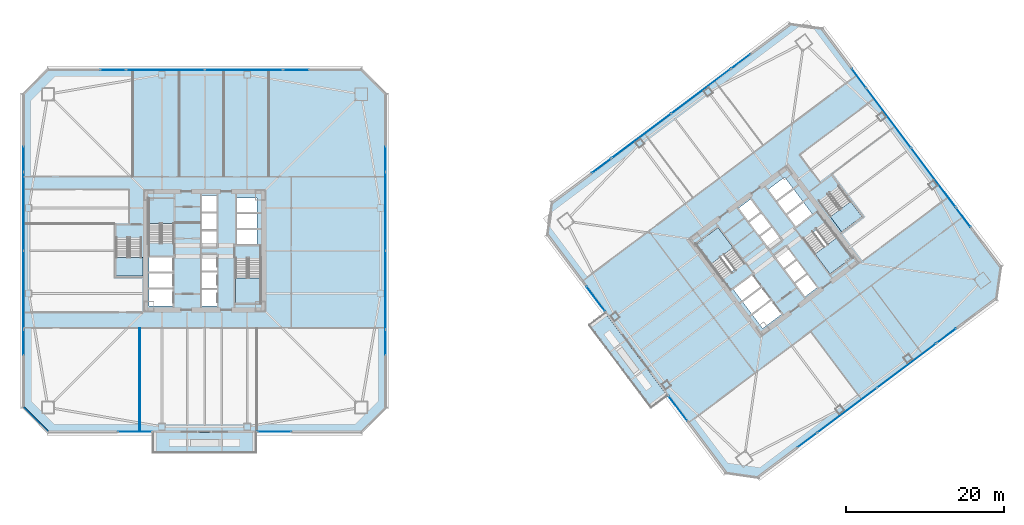
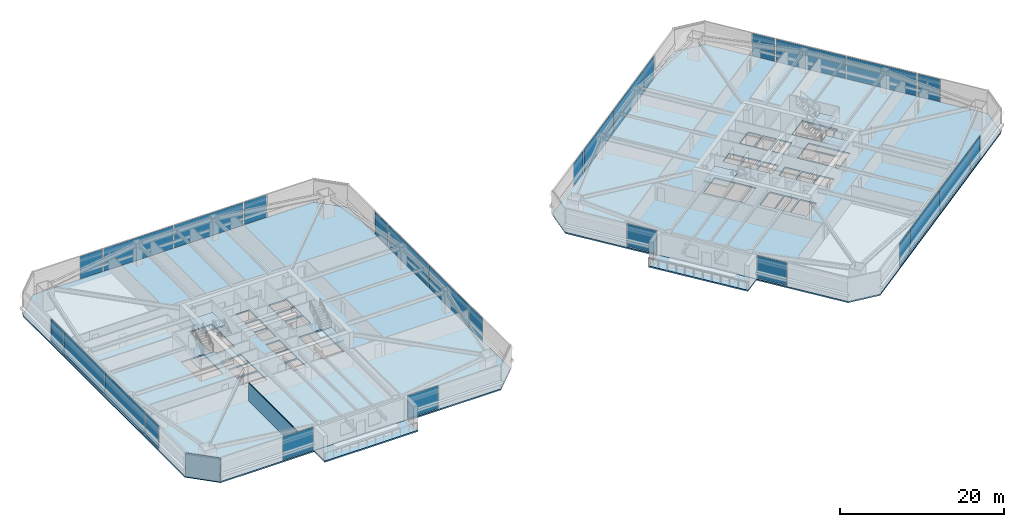
# One storey, part 35 of 48: 28 plates, 10 slabs, 2 walls, 28 elements without a shape of their own.
"""IFC4 building model written with IfcOpenShell, lengths in metres."""

from ifc_helpers import new_model, si_unit, direction, frame, frame_2d, origin, origin_2d, place, context, subcontext, project, spatial, polyline, rectangle, outline, extrude, material, layer, layer_set, type_object, element, aggregate, save


model = new_model("IFC4")

# Units and contexts
model_context = context("Model", 3, precision=1e-05, world=origin(), true_north=direction((0.0, 1.0)))
body_context = subcontext(model_context, "Body", "Model", "MODEL_VIEW")
ifc_project = project(units=[si_unit("LENGTHUNIT", "METRE"), si_unit("AREAUNIT", "SQUARE_METRE"), si_unit("VOLUMEUNIT", "CUBIC_METRE"), si_unit("PLANEANGLEUNIT", "RADIAN"), si_unit("MASSUNIT", "GRAM", prefix="KILO")], contexts=[model_context])

# Site, building, storey
site_placement = place(None, origin())
site = spatial("IfcSite", under=ifc_project, at=site_placement, CompositionType="ELEMENT")
building_placement = place(site_placement, origin())
building = spatial("IfcBuilding", under=site, at=building_placement, Name="Tashvorn Skyway Center", CompositionType="ELEMENT")
storey_placement = place(building_placement, frame((0.0, 0.0, 56.550048828125)))
storey = spatial("IfcBuildingStorey", under=building, at=storey_placement, Name="L14", CompositionType="ELEMENT", Elevation=56.550048828125)

# Curtain wall, plate
ifc_material_1 = material(Name="Thermally broken bronze-anodized aluminium 6063-T6", Category="aluminium")
curtain_wall_type = type_object("IfcCurtainWallType", Name="CW-CW-Z1", PredefinedType="NOTDEFINED", material=ifc_material_1)
curtain_wall_1_placement = place(storey_placement, origin())
curtain_wall_1 = element("IfcCurtainWall", 1, at=curtain_wall_1_placement, inside=storey, type_object=curtain_wall_type, Name="Tower 1 L14 South Curtain Wall L Glazing Group 1", PredefinedType="NOTDEFINED")
ifc_material_2 = material(Name="Low-E solar-control double insulating safety glass", Category="glass")
ifc_layer_1 = layer(ifc_material_2, 0.048095703125)
ifc_layer_set_1 = layer_set([ifc_layer_1], Name="Low-E solar-control double insulating safety glass")
plate_type = type_object("IfcPlateType", Name="CWP-CW-Z1", PredefinedType="CURTAIN_PANEL", material=ifc_layer_set_1)
plate_1_placement = place(storey_placement, frame((50.813232421875, 9.1201171875, 0.0849609375), z_axis=(0.0, 0.0, 1.0), x_axis=(-1.0, 0.0, 0.0)))
plate_1 = element("IfcPlate", 2, at=plate_1_placement, type_object=plate_type, Name="CW-Z1 panel 1.1", PredefinedType="CURTAIN_PANEL", context=body_context, shape_type="SweptSolid", body=[
    extrude(rectangle(XDim=4.256591796875, YDim=0.048095703125, at=origin_2d()), origin(), (0.0, 0.0, 1.0), 3.3798828125),
])
aggregate(curtain_wall_1, [plate_1])

curtain_wall_2_placement = place(storey_placement, origin())
curtain_wall_2 = element("IfcCurtainWall", 3, at=curtain_wall_2_placement, inside=storey, type_object=curtain_wall_type, Name="Tower 1 L14 South Curtain Wall R Glazing Group 1", PredefinedType="NOTDEFINED")
plate_2_placement = place(storey_placement, frame((33.186767578125, 9.1201171875, 0.0849609375), z_axis=(0.0, 0.0, 1.0), x_axis=(-1.0, 0.0, 0.0)))
plate_2 = element("IfcPlate", 4, at=plate_2_placement, type_object=plate_type, Name="CW-Z1 panel 1.1", PredefinedType="CURTAIN_PANEL", context=body_context, shape_type="SweptSolid", body=[
    extrude(rectangle(XDim=4.256591796875, YDim=0.048095703125, at=origin_2d()), origin(), (0.0, 0.0, 1.0), 3.3798828125),
])
aggregate(curtain_wall_2, [plate_2])

curtain_wall_3_placement = place(storey_placement, origin())
curtain_wall_3 = element("IfcCurtainWall", 5, at=curtain_wall_3_placement, inside=storey, type_object=curtain_wall_type, Name="Tower 1 L14 West Unitised Curtain Wall Glazing Group 1", PredefinedType="NOTDEFINED")
plate_3_placement = place(storey_placement, frame((19.1201171875, 20.4033203125, 0.0849609375), z_axis=(0.0, 0.0, 1.0), x_axis=(0.0, 1.0, 0.0)))
plate_3 = element("IfcPlate", 6, at=plate_3_placement, type_object=plate_type, Name="CW-Z1 panel 1.1", PredefinedType="CURTAIN_PANEL", context=body_context, shape_type="SweptSolid", body=[
    extrude(rectangle(XDim=3.143310546875, YDim=0.048095703125, at=origin_2d()), origin(), (0.0, 0.0, 1.0), 3.3798828125),
])
aggregate(curtain_wall_3, [plate_3])

# Curtain wall, plates
curtain_wall_4_placement = place(storey_placement, origin())
curtain_wall_4 = element("IfcCurtainWall", 7, at=curtain_wall_4_placement, inside=storey, type_object=curtain_wall_type, Name="Tower 1 L14 West Unitised Curtain Wall Glazing Group 2", PredefinedType="NOTDEFINED")
plate_4_placement = place(storey_placement, frame((19.1201171875, 27.05126953125, 0.0849609375), z_axis=(0.0, 0.0, 1.0), x_axis=(0.0, 1.0, 0.0)))
plate_4 = element("IfcPlate", 8, at=plate_4_placement, type_object=plate_type, Name="CW-Z1 panel 1.1", PredefinedType="CURTAIN_PANEL", context=body_context, shape_type="SweptSolid", body=[
    extrude(rectangle(XDim=9.8125, YDim=0.048095703125, at=origin_2d()), origin(), (0.0, 0.0, 1.0), 3.3798828125),
])
plate_5_placement = place(storey_placement, frame((19.1201171875, 36.94873046875, 0.0849609375), z_axis=(0.0, 0.0, 1.0), x_axis=(0.0, 1.0, 0.0)))
plate_5 = element("IfcPlate", 9, at=plate_5_placement, type_object=plate_type, Name="CW-Z1 panel 2.1", PredefinedType="CURTAIN_PANEL", context=body_context, shape_type="SweptSolid", body=[
    extrude(rectangle(XDim=9.8125, YDim=0.048095703125, at=origin_2d()), origin(), (0.0, 0.0, 1.0), 3.3798828125),
])
aggregate(curtain_wall_4, [plate_4, plate_5])

# Curtain wall, plate
curtain_wall_5_placement = place(storey_placement, origin())
curtain_wall_5 = element("IfcCurtainWall", 10, at=curtain_wall_5_placement, inside=storey, type_object=curtain_wall_type, Name="Tower 1 L14 West Unitised Curtain Wall Glazing Group 3", PredefinedType="NOTDEFINED")
plate_6_placement = place(storey_placement, frame((19.1201171875, 43.5966796875, 0.0849609375), z_axis=(0.0, 0.0, 1.0), x_axis=(0.0, 1.0, 0.0)))
plate_6 = element("IfcPlate", 11, at=plate_6_placement, type_object=plate_type, Name="CW-Z1 panel 1.1", PredefinedType="CURTAIN_PANEL", context=body_context, shape_type="SweptSolid", body=[
    extrude(rectangle(XDim=3.143310546875, YDim=0.048095703125, at=origin_2d()), origin(), (0.0, 0.0, 1.0), 3.3798828125),
])
aggregate(curtain_wall_5, [plate_6])

curtain_wall_6_placement = place(storey_placement, origin())
curtain_wall_6 = element("IfcCurtainWall", 12, at=curtain_wall_6_placement, inside=storey, type_object=curtain_wall_type, Name="Tower 1 L14 North Unitised Curtain Wall Glazing Group 1", PredefinedType="NOTDEFINED")
plate_7_placement = place(storey_placement, frame((30.4033203125, 54.8798828125, 0.0849609375), z_axis=(0.0, 0.0, 1.0), x_axis=(1.0, 0.0, 0.0)))
plate_7 = element("IfcPlate", 13, at=plate_7_placement, type_object=plate_type, Name="CW-Z1 panel 1.1", PredefinedType="CURTAIN_PANEL", context=body_context, shape_type="SweptSolid", body=[
    extrude(rectangle(XDim=3.143310546875, YDim=0.048095703125, at=origin_2d()), origin(), (0.0, 0.0, 1.0), 3.3798828125),
])
aggregate(curtain_wall_6, [plate_7])

# Curtain wall, plates
curtain_wall_7_placement = place(storey_placement, origin())
curtain_wall_7 = element("IfcCurtainWall", 14, at=curtain_wall_7_placement, inside=storey, type_object=curtain_wall_type, Name="Tower 1 L14 North Unitised Curtain Wall Glazing Group 2", PredefinedType="NOTDEFINED")
plate_8_placement = place(storey_placement, frame((37.05126953125, 54.8798828125, 0.0849609375), z_axis=(0.0, 0.0, 1.0), x_axis=(1.0, 0.0, 0.0)))
plate_8 = element("IfcPlate", 15, at=plate_8_placement, type_object=plate_type, Name="CW-Z1 panel 1.1", PredefinedType="CURTAIN_PANEL", context=body_context, shape_type="SweptSolid", body=[
    extrude(rectangle(XDim=9.8125, YDim=0.048095703125, at=origin_2d()), origin(), (0.0, 0.0, 1.0), 3.3798828125),
])
plate_9_placement = place(storey_placement, frame((46.94873046875, 54.8798828125, 0.0849609375), z_axis=(0.0, 0.0, 1.0), x_axis=(1.0, 0.0, 0.0)))
plate_9 = element("IfcPlate", 16, at=plate_9_placement, type_object=plate_type, Name="CW-Z1 panel 2.1", PredefinedType="CURTAIN_PANEL", context=body_context, shape_type="SweptSolid", body=[
    extrude(rectangle(XDim=9.8125, YDim=0.048095703125, at=origin_2d()), origin(), (0.0, 0.0, 1.0), 3.3798828125),
])
aggregate(curtain_wall_7, [plate_8, plate_9])

# Curtain wall, plate
curtain_wall_8_placement = place(storey_placement, origin())
curtain_wall_8 = element("IfcCurtainWall", 17, at=curtain_wall_8_placement, inside=storey, type_object=curtain_wall_type, Name="Tower 1 L14 North Unitised Curtain Wall Glazing Group 3", PredefinedType="NOTDEFINED")
plate_10_placement = place(storey_placement, frame((53.5966796875, 54.8798828125, 0.0849609375), z_axis=(0.0, 0.0, 1.0), x_axis=(1.0, 0.0, 0.0)))
plate_10 = element("IfcPlate", 18, at=plate_10_placement, type_object=plate_type, Name="CW-Z1 panel 1.1", PredefinedType="CURTAIN_PANEL", context=body_context, shape_type="SweptSolid", body=[
    extrude(rectangle(XDim=3.143310546875, YDim=0.048095703125, at=origin_2d()), origin(), (0.0, 0.0, 1.0), 3.3798828125),
])
aggregate(curtain_wall_8, [plate_10])

curtain_wall_9_placement = place(storey_placement, origin())
curtain_wall_9 = element("IfcCurtainWall", 19, at=curtain_wall_9_placement, inside=storey, type_object=curtain_wall_type, Name="Tower 1 L14 East Unitised Curtain Wall Glazing Group 1", PredefinedType="NOTDEFINED")
plate_11_placement = place(storey_placement, frame((64.8798828125, 43.5966796875, 0.0849609375), z_axis=(0.0, 0.0, 1.0), x_axis=(0.0, -1.0, 0.0)))
plate_11 = element("IfcPlate", 20, at=plate_11_placement, type_object=plate_type, Name="CW-Z1 panel 1.1", PredefinedType="CURTAIN_PANEL", context=body_context, shape_type="SweptSolid", body=[
    extrude(rectangle(XDim=3.143310546875, YDim=0.048095703125, at=origin_2d()), origin(), (0.0, 0.0, 1.0), 3.3798828125),
])
aggregate(curtain_wall_9, [plate_11])

# Curtain wall, plates
curtain_wall_10_placement = place(storey_placement, origin())
curtain_wall_10 = element("IfcCurtainWall", 21, at=curtain_wall_10_placement, inside=storey, type_object=curtain_wall_type, Name="Tower 1 L14 East Unitised Curtain Wall Glazing Group 2", PredefinedType="NOTDEFINED")
plate_12_placement = place(storey_placement, frame((64.8798828125, 36.94873046875, 0.0849609375), z_axis=(0.0, 0.0, 1.0), x_axis=(0.0, -1.0, 0.0)))
plate_12 = element("IfcPlate", 22, at=plate_12_placement, type_object=plate_type, Name="CW-Z1 panel 1.1", PredefinedType="CURTAIN_PANEL", context=body_context, shape_type="SweptSolid", body=[
    extrude(rectangle(XDim=9.8125, YDim=0.048095703125, at=origin_2d()), origin(), (0.0, 0.0, 1.0), 3.3798828125),
])
plate_13_placement = place(storey_placement, frame((64.8798828125, 27.05126953125, 0.0849609375), z_axis=(0.0, 0.0, 1.0), x_axis=(0.0, -1.0, 0.0)))
plate_13 = element("IfcPlate", 23, at=plate_13_placement, type_object=plate_type, Name="CW-Z1 panel 2.1", PredefinedType="CURTAIN_PANEL", context=body_context, shape_type="SweptSolid", body=[
    extrude(rectangle(XDim=9.8125, YDim=0.048095703125, at=origin_2d()), origin(), (0.0, 0.0, 1.0), 3.3798828125),
])
aggregate(curtain_wall_10, [plate_12, plate_13])

# Curtain wall, plate
curtain_wall_11_placement = place(storey_placement, origin())
curtain_wall_11 = element("IfcCurtainWall", 24, at=curtain_wall_11_placement, inside=storey, type_object=curtain_wall_type, Name="Tower 1 L14 East Unitised Curtain Wall Glazing Group 3", PredefinedType="NOTDEFINED")
plate_14_placement = place(storey_placement, frame((64.8798828125, 20.4033203125, 0.0849609375), z_axis=(0.0, 0.0, 1.0), x_axis=(0.0, -1.0, 0.0)))
plate_14 = element("IfcPlate", 25, at=plate_14_placement, type_object=plate_type, Name="CW-Z1 panel 1.1", PredefinedType="CURTAIN_PANEL", context=body_context, shape_type="SweptSolid", body=[
    extrude(rectangle(XDim=3.143310546875, YDim=0.048095703125, at=origin_2d()), origin(), (0.0, 0.0, 1.0), 3.3798828125),
])
aggregate(curtain_wall_11, [plate_14])

curtain_wall_12_placement = place(storey_placement, origin())
curtain_wall_12 = element("IfcCurtainWall", 26, at=curtain_wall_12_placement, inside=storey, type_object=curtain_wall_type, Name="Tower 2 L14 South Unitised Curtain Wall Glazing Group 1", PredefinedType="NOTDEFINED")
plate_15_placement = place(storey_placement, frame((135.818603515625, 21.263916015625, 0.0849609375), z_axis=(0.0, 0.0, 1.0), x_axis=(-0.799996186392, -0.600005084776, 0.0)))
plate_15 = element("IfcPlate", 27, at=plate_15_placement, type_object=plate_type, Name="CW-Z1 panel 1.1", PredefinedType="CURTAIN_PANEL", context=body_context, shape_type="SweptSolid", body=[
    extrude(rectangle(XDim=2.9765625, YDim=0.048095703125, at=origin_2d()), origin(), (0.0, 0.0, 1.0), 3.3798828125),
])
aggregate(curtain_wall_12, [plate_15])

# Curtain wall, plates
curtain_wall_13_placement = place(storey_placement, origin())
curtain_wall_13 = element("IfcCurtainWall", 28, at=curtain_wall_13_placement, inside=storey, type_object=curtain_wall_type, Name="Tower 2 L14 South Unitised Curtain Wall Glazing Group 2", PredefinedType="NOTDEFINED")
plate_16_placement = place(storey_placement, frame((130.76708984375, 17.475341796875, 0.0849609375), z_axis=(0.0, 0.0, 1.0), x_axis=(-0.799999999998, -0.600000000002, 0.0)))
plate_16 = element("IfcPlate", 29, at=plate_16_placement, type_object=plate_type, Name="CW-Z1 panel 1.1", PredefinedType="CURTAIN_PANEL", context=body_context, shape_type="SweptSolid", body=[
    extrude(rectangle(XDim=9.3125, YDim=0.048095703125, at=origin_2d()), origin(), (0.0, 0.0, 1.0), 3.3798828125),
])
plate_17_placement = place(storey_placement, frame((123.2490234375, 11.836669921875, 0.0849609375), z_axis=(0.0, 0.0, 1.0), x_axis=(-0.799999999998, -0.600000000002, 0.0)))
plate_17 = element("IfcPlate", 30, at=plate_17_placement, type_object=plate_type, Name="CW-Z1 panel 2.1", PredefinedType="CURTAIN_PANEL", context=body_context, shape_type="SweptSolid", body=[
    extrude(rectangle(XDim=9.3125, YDim=0.048095703125, at=origin_2d()), origin(), (0.0, 0.0, 1.0), 3.3798828125),
])
aggregate(curtain_wall_13, [plate_16, plate_17])

# Curtain wall, plate
curtain_wall_14_placement = place(storey_placement, origin())
curtain_wall_14 = element("IfcCurtainWall", 31, at=curtain_wall_14_placement, inside=storey, type_object=curtain_wall_type, Name="Tower 2 L14 South Unitised Curtain Wall Glazing Group 3", PredefinedType="NOTDEFINED")
plate_18_placement = place(storey_placement, frame((118.197265625, 8.048095703125, 0.0849609375), z_axis=(0.0, 0.0, 1.0), x_axis=(-0.799996186392, -0.600005084776, 0.0)))
plate_18 = element("IfcPlate", 32, at=plate_18_placement, type_object=plate_type, Name="CW-Z1 panel 1.1", PredefinedType="CURTAIN_PANEL", context=body_context, shape_type="SweptSolid", body=[
    extrude(rectangle(XDim=2.9765625, YDim=0.048095703125, at=origin_2d()), origin(), (0.0, 0.0, 1.0), 3.3798828125),
])
aggregate(curtain_wall_14, [plate_18])

curtain_wall_15_placement = place(storey_placement, origin())
curtain_wall_15 = element("IfcCurtainWall", 33, at=curtain_wall_15_placement, inside=storey, type_object=curtain_wall_type, Name="Tower 2 L14 West Curtain Wall L Glazing Group 1", PredefinedType="NOTDEFINED")
plate_19_placement = place(storey_placement, frame((101.843994140625, 12.07470703125, 0.0849609375), z_axis=(0.0, 0.0, 1.0), x_axis=(-0.599996091225, 0.800002931566, 0.0)))
plate_19 = element("IfcPlate", 34, at=plate_19_placement, type_object=plate_type, Name="CW-Z1 panel 1.1", PredefinedType="CURTAIN_PANEL", context=body_context, shape_type="SweptSolid", body=[
    extrude(rectangle(XDim=3.92333984375, YDim=0.048095703125, at=origin_2d()), origin(), (0.0, 0.0, 1.0), 3.3798828125),
])
aggregate(curtain_wall_15, [plate_19])

curtain_wall_16_placement = place(storey_placement, origin())
curtain_wall_16 = element("IfcCurtainWall", 35, at=curtain_wall_16_placement, inside=storey, type_object=curtain_wall_type, Name="Tower 2 L14 West Curtain Wall R Glazing Group 1", PredefinedType="NOTDEFINED")
plate_20_placement = place(storey_placement, frame((91.468017578125, 25.909423828125, 0.0849609375), z_axis=(0.0, 0.0, 1.0), x_axis=(-0.599996091225, 0.800002931566, 0.0)))
plate_20 = element("IfcPlate", 36, at=plate_20_placement, type_object=plate_type, Name="CW-Z1 panel 1.1", PredefinedType="CURTAIN_PANEL", context=body_context, shape_type="SweptSolid", body=[
    extrude(rectangle(XDim=3.92333984375, YDim=0.048095703125, at=origin_2d()), origin(), (0.0, 0.0, 1.0), 3.3798828125),
])
aggregate(curtain_wall_16, [plate_20])

curtain_wall_17_placement = place(storey_placement, origin())
curtain_wall_17 = element("IfcCurtainWall", 37, at=curtain_wall_17_placement, inside=storey, type_object=curtain_wall_type, Name="Tower 2 L14 North Unitised Curtain Wall Glazing Group 1", PredefinedType="NOTDEFINED")
plate_21_placement = place(storey_placement, frame((92.181396484375, 42.736083984375, 0.0849609375), z_axis=(0.0, 0.0, 1.0), x_axis=(0.799996186392, 0.600005084776, 0.0)))
plate_21 = element("IfcPlate", 38, at=plate_21_placement, type_object=plate_type, Name="CW-Z1 panel 1.1", PredefinedType="CURTAIN_PANEL", context=body_context, shape_type="SweptSolid", body=[
    extrude(rectangle(XDim=2.9765625, YDim=0.048095703125, at=origin_2d()), origin(), (0.0, 0.0, 1.0), 3.3798828125),
])
aggregate(curtain_wall_17, [plate_21])

# Curtain wall, plates
curtain_wall_18_placement = place(storey_placement, origin())
curtain_wall_18 = element("IfcCurtainWall", 39, at=curtain_wall_18_placement, inside=storey, type_object=curtain_wall_type, Name="Tower 2 L14 North Unitised Curtain Wall Glazing Group 2", PredefinedType="NOTDEFINED")
plate_22_placement = place(storey_placement, frame((97.23291015625, 46.524658203125, 0.0849609375), z_axis=(0.0, 0.0, 1.0), x_axis=(0.799999999998, 0.600000000002, 0.0)))
plate_22 = element("IfcPlate", 40, at=plate_22_placement, type_object=plate_type, Name="CW-Z1 panel 1.1", PredefinedType="CURTAIN_PANEL", context=body_context, shape_type="SweptSolid", body=[
    extrude(rectangle(XDim=9.3125, YDim=0.048095703125, at=origin_2d()), origin(), (0.0, 0.0, 1.0), 3.3798828125),
])
plate_23_placement = place(storey_placement, frame((104.7509765625, 52.163330078125, 0.0849609375), z_axis=(0.0, 0.0, 1.0), x_axis=(0.799999999998, 0.600000000002, 0.0)))
plate_23 = element("IfcPlate", 41, at=plate_23_placement, type_object=plate_type, Name="CW-Z1 panel 2.1", PredefinedType="CURTAIN_PANEL", context=body_context, shape_type="SweptSolid", body=[
    extrude(rectangle(XDim=9.3125, YDim=0.048095703125, at=origin_2d()), origin(), (0.0, 0.0, 1.0), 3.3798828125),
])
aggregate(curtain_wall_18, [plate_22, plate_23])

# Curtain wall, plate
curtain_wall_19_placement = place(storey_placement, origin())
curtain_wall_19 = element("IfcCurtainWall", 42, at=curtain_wall_19_placement, inside=storey, type_object=curtain_wall_type, Name="Tower 2 L14 North Unitised Curtain Wall Glazing Group 3", PredefinedType="NOTDEFINED")
plate_24_placement = place(storey_placement, frame((109.802734375, 55.951904296875, 0.0849609375), z_axis=(0.0, 0.0, 1.0), x_axis=(0.799996186392, 0.600005084776, 0.0)))
plate_24 = element("IfcPlate", 43, at=plate_24_placement, type_object=plate_type, Name="CW-Z1 panel 1.1", PredefinedType="CURTAIN_PANEL", context=body_context, shape_type="SweptSolid", body=[
    extrude(rectangle(XDim=2.9765625, YDim=0.048095703125, at=origin_2d()), origin(), (0.0, 0.0, 1.0), 3.3798828125),
])
aggregate(curtain_wall_19, [plate_24])

curtain_wall_20_placement = place(storey_placement, origin())
curtain_wall_20 = element("IfcCurtainWall", 44, at=curtain_wall_20_placement, inside=storey, type_object=curtain_wall_type, Name="Tower 2 L14 East Unitised Curtain Wall Glazing Group 1", PredefinedType="NOTDEFINED")
plate_25_placement = place(storey_placement, frame((124.736083984375, 53.818603515625, 0.0849609375), z_axis=(0.0, 0.0, 1.0), x_axis=(0.600005084776, -0.799996186392, 0.0)))
plate_25 = element("IfcPlate", 45, at=plate_25_placement, type_object=plate_type, Name="CW-Z1 panel 1.1", PredefinedType="CURTAIN_PANEL", context=body_context, shape_type="SweptSolid", body=[
    extrude(rectangle(XDim=2.9765625, YDim=0.048095703125, at=origin_2d()), origin(), (0.0, 0.0, 1.0), 3.3798828125),
])
aggregate(curtain_wall_20, [plate_25])

# Curtain wall, plates
curtain_wall_21_placement = place(storey_placement, origin())
curtain_wall_21 = element("IfcCurtainWall", 46, at=curtain_wall_21_placement, inside=storey, type_object=curtain_wall_type, Name="Tower 2 L14 East Unitised Curtain Wall Glazing Group 2", PredefinedType="NOTDEFINED")
plate_26_placement = place(storey_placement, frame((128.524658203125, 48.76708984375, 0.0849609375), z_axis=(0.0, 0.0, 1.0), x_axis=(0.600000000002, -0.799999999998, 0.0)))
plate_26 = element("IfcPlate", 47, at=plate_26_placement, type_object=plate_type, Name="CW-Z1 panel 1.1", PredefinedType="CURTAIN_PANEL", context=body_context, shape_type="SweptSolid", body=[
    extrude(rectangle(XDim=9.3125, YDim=0.048095703125, at=origin_2d()), origin(), (0.0, 0.0, 1.0), 3.3798828125),
])
plate_27_placement = place(storey_placement, frame((134.163330078125, 41.2490234375, 0.0849609375), z_axis=(0.0, 0.0, 1.0), x_axis=(0.600000000002, -0.799999999998, 0.0)))
plate_27 = element("IfcPlate", 48, at=plate_27_placement, type_object=plate_type, Name="CW-Z1 panel 2.1", PredefinedType="CURTAIN_PANEL", context=body_context, shape_type="SweptSolid", body=[
    extrude(rectangle(XDim=9.3125, YDim=0.048095703125, at=origin_2d()), origin(), (0.0, 0.0, 1.0), 3.3798828125),
])
aggregate(curtain_wall_21, [plate_26, plate_27])

# Curtain wall, plate
curtain_wall_22_placement = place(storey_placement, origin())
curtain_wall_22 = element("IfcCurtainWall", 49, at=curtain_wall_22_placement, inside=storey, type_object=curtain_wall_type, Name="Tower 2 L14 East Unitised Curtain Wall Glazing Group 3", PredefinedType="NOTDEFINED")
plate_28_placement = place(storey_placement, frame((137.951904296875, 36.197265625, 0.0849609375), z_axis=(0.0, 0.0, 1.0), x_axis=(0.600005084776, -0.799996186392, 0.0)))
plate_28 = element("IfcPlate", 50, at=plate_28_placement, type_object=plate_type, Name="CW-Z1 panel 1.1", PredefinedType="CURTAIN_PANEL", context=body_context, shape_type="SweptSolid", body=[
    extrude(rectangle(XDim=2.9765625, YDim=0.048095703125, at=origin_2d()), origin(), (0.0, 0.0, 1.0), 3.3798828125),
])
aggregate(curtain_wall_22, [plate_28])

# Slabs
ifc_material_3 = material(Name="Concrete C40/50", Category="concrete")
ifc_layer_2 = layer(ifc_material_3, 0.199951171875)
ifc_layer_set_2 = layer_set([ifc_layer_2], Name="Concrete C40/50")
slab_type_1 = type_object("IfcSlabType", Name="SLAB-FLR-200", PredefinedType="FLOOR", material=ifc_layer_set_2)
slab_1_placement = place(storey_placement, frame((0.0, 0.0, -0.199951171875)))
element("IfcSlab", 51, at=slab_1_placement, inside=storey, type_object=slab_type_1, Name="Tower 1 L14 Composite Floor Slab", PredefinedType="FLOOR", context=body_context, shape_type="SweptSolid", body=[
    extrude(outline(polyline([(22.199951171875, 9.0), (61.800048828125, 9.0), (65.0, 12.199951171875), (65.0, 51.800048828125), (61.800048828125, 55.0), (22.199951171875, 55.0), (19.0, 51.800048828125), (19.0, 12.199951171875), (22.199951171875, 9.0)]), holes=[polyline([(38.10009765625, 33.080078125), (38.10009765625, 38.60009765625), (34.89990234375, 38.60009765625), (34.89990234375, 33.080078125), (38.10009765625, 33.080078125)]), polyline([(45.89990234375, 30.919921875), (45.89990234375, 25.39990234375), (49.10009765625, 25.39990234375), (49.10009765625, 30.919921875), (45.89990234375, 30.919921875)]), polyline([(30.800048828125, 33.52001953125), (30.800048828125, 28.800048828125), (34.0, 28.800048828125), (34.0, 33.52001953125), (30.800048828125, 33.52001953125)]), polyline([(34.949951171875, 29.35009765625), (37.949951171875, 29.35009765625), (37.949951171875, 31.199951171875), (34.949951171875, 31.199951171875), (34.949951171875, 29.35009765625)]), polyline([(34.949951171875, 27.35009765625), (37.949951171875, 27.35009765625), (37.949951171875, 29.199951171875), (34.949951171875, 29.199951171875), (34.949951171875, 27.35009765625)]), polyline([(34.949951171875, 25.0), (37.949951171875, 25.0), (37.949951171875, 27.14990234375), (34.949951171875, 27.14990234375), (34.949951171875, 25.0)]), polyline([(41.64990234375, 25.0), (43.550048828125, 25.0), (43.550048828125, 27.050048828125), (41.64990234375, 27.050048828125), (41.64990234375, 25.0)]), polyline([(41.64990234375, 27.25), (43.550048828125, 27.25), (43.550048828125, 29.300048828125), (41.64990234375, 29.300048828125), (41.64990234375, 27.25)]), polyline([(41.64990234375, 29.5), (43.550048828125, 29.5), (43.550048828125, 31.550048828125), (41.64990234375, 31.550048828125), (41.64990234375, 29.5)]), polyline([(41.64990234375, 32.449951171875), (43.550048828125, 32.449951171875), (43.550048828125, 34.5), (41.64990234375, 34.5), (41.64990234375, 32.449951171875)]), polyline([(41.64990234375, 34.699951171875), (43.550048828125, 34.699951171875), (43.550048828125, 36.75), (41.64990234375, 36.75), (41.64990234375, 34.699951171875)]), polyline([(41.64990234375, 36.949951171875), (43.550048828125, 36.949951171875), (43.550048828125, 39.0), (41.64990234375, 39.0), (41.64990234375, 36.949951171875)]), polyline([(46.050048828125, 32.800048828125), (48.64990234375, 32.800048828125), (48.64990234375, 34.64990234375), (46.050048828125, 34.64990234375), (46.050048828125, 32.800048828125)]), polyline([(46.050048828125, 34.85009765625), (48.64990234375, 34.85009765625), (48.64990234375, 36.699951171875), (46.050048828125, 36.699951171875), (46.050048828125, 34.85009765625)]), polyline([(46.050048828125, 36.89990234375), (48.64990234375, 36.89990234375), (48.64990234375, 38.64990234375), (46.050048828125, 38.64990234375), (46.050048828125, 36.89990234375)])]), origin(), (0.0, 0.0, 1.0), 0.199951171875),
])
slab_2_placement = place(storey_placement, frame((0.0, 0.0, -0.199951171875)))
element("IfcSlab", 52, at=slab_2_placement, inside=storey, type_object=slab_type_1, Name="Tower 2 L14 Composite Floor Slab", PredefinedType="FLOOR", context=body_context, shape_type="SweptSolid", body=[
    extrude(outline(polyline([(112.0400390625, 3.280029296875), (142.1201171875, 25.840087890625), (142.719970703125, 30.0400390625), (120.159912109375, 60.1201171875), (115.9599609375, 60.719970703125), (85.8798828125, 38.159912109375), (85.280029296875, 33.9599609375), (107.840087890625, 3.8798828125), (112.0400390625, 3.280029296875)]), holes=[polyline([(110.23193359375, 30.52392578125), (106.919921875, 34.93994140625), (104.135986328125, 32.85205078125), (107.447998046875, 28.43603515625), (110.23193359375, 30.52392578125)]), polyline([(117.76806640625, 33.47607421875), (121.080078125, 29.06005859375), (123.864013671875, 31.14794921875), (120.552001953125, 35.56396484375), (117.76806640625, 33.47607421875)]), polyline([(119.7119140625, 38.18408203125), (122.5439453125, 34.407958984375), (125.10400390625, 36.327880859375), (122.27197265625, 40.10400390625), (119.7119140625, 38.18408203125)]), polyline([(109.949951171875, 25.64990234375), (112.35009765625, 27.449951171875), (111.239990234375, 28.929931640625), (108.840087890625, 27.1298828125), (109.949951171875, 25.64990234375)]), polyline([(111.14990234375, 24.050048828125), (113.550048828125, 25.85009765625), (112.43994140625, 27.330078125), (110.0400390625, 25.530029296875), (111.14990234375, 24.050048828125)]), polyline([(112.56005859375, 22.169921875), (114.9599609375, 23.969970703125), (113.669921875, 25.68994140625), (111.27001953125, 23.889892578125), (112.56005859375, 22.169921875)]), polyline([(117.919921875, 26.18994140625), (119.43994140625, 27.330078125), (118.2099609375, 28.969970703125), (116.68994140625, 27.830078125), (117.919921875, 26.18994140625)]), polyline([(116.570068359375, 27.989990234375), (118.090087890625, 29.1298828125), (116.860107421875, 30.77001953125), (115.340087890625, 29.6298828125), (116.570068359375, 27.989990234375)]), polyline([(115.219970703125, 29.7900390625), (116.739990234375, 30.929931640625), (115.510009765625, 32.570068359375), (113.989990234375, 31.429931640625), (115.219970703125, 29.7900390625)]), polyline([(113.449951171875, 32.14990234375), (114.969970703125, 33.2900390625), (113.739990234375, 34.929931640625), (112.219970703125, 33.7900390625), (113.449951171875, 32.14990234375)]), polyline([(112.10009765625, 33.949951171875), (113.6201171875, 35.090087890625), (112.389892578125, 36.72998046875), (110.8701171875, 35.590087890625), (112.10009765625, 33.949951171875)]), polyline([(110.75, 35.75), (112.27001953125, 36.889892578125), (111.0400390625, 38.530029296875), (109.52001953125, 37.389892578125), (110.75, 35.75)]), polyline([(116.760009765625, 35.070068359375), (118.840087890625, 36.6298828125), (117.72998046875, 38.110107421875), (115.64990234375, 36.550048828125), (116.760009765625, 35.070068359375)]), polyline([(115.530029296875, 36.7099609375), (117.610107421875, 38.27001953125), (116.5, 39.75), (114.419921875, 38.18994140625), (115.530029296875, 36.7099609375)]), polyline([(114.300048828125, 38.35009765625), (116.3798828125, 39.909912109375), (115.330078125, 41.31005859375), (113.25, 39.75), (114.300048828125, 38.35009765625)])]), origin(), (0.0, 0.0, 1.0), 0.199951171875),
])

# Stair, slab
stair_type = type_object("IfcStairType", Name="STAIR-CORE-1500", PredefinedType="HALF_TURN_STAIR", material=ifc_material_3)
stair_1_placement = place(storey_placement, origin())
stair_1 = element("IfcStair", 53, at=stair_1_placement, inside=storey, type_object=stair_type, Name="L14 Tower 1 Exit Stair 1", PredefinedType="HALF_TURN_STAIR")
ifc_layer_3 = layer(ifc_material_3, 0.199951171875)
ifc_layer_set_3 = layer_set([ifc_layer_3], Name="Concrete C40/50")
slab_type_2 = type_object("IfcSlabType", Name="SLAB-LAND-200", PredefinedType="LANDING", material=ifc_layer_set_3)
slab_3_placement = place(storey_placement, frame((0.0, 0.0, 1.574951171875)))
slab_3 = element("IfcSlab", 54, at=slab_3_placement, type_object=slab_type_2, Name="ST-T1-1 landing 1", PredefinedType="LANDING", context=body_context, shape_type="SweptSolid", body=[
    extrude(outline(polyline([(38.10009765625, 35.43994140625), (38.10009765625, 38.60009765625), (34.89990234375, 38.60009765625), (34.89990234375, 35.43994140625), (38.10009765625, 35.43994140625)])), origin(), (0.0, 0.0, 1.0), 0.199951171875),
])
aggregate(stair_1, [slab_3])

stair_2_placement = place(storey_placement, origin())
stair_2 = element("IfcStair", 55, at=stair_2_placement, inside=storey, type_object=stair_type, Name="L14 Tower 1 Exit Stair 2", PredefinedType="HALF_TURN_STAIR")
slab_4_placement = place(storey_placement, frame((0.0, 0.0, 1.574951171875)))
slab_4 = element("IfcSlab", 56, at=slab_4_placement, type_object=slab_type_2, Name="ST-T1-2 landing 1", PredefinedType="LANDING", context=body_context, shape_type="SweptSolid", body=[
    extrude(outline(polyline([(45.89990234375, 28.56005859375), (45.89990234375, 25.39990234375), (49.10009765625, 25.39990234375), (49.10009765625, 28.56005859375), (45.89990234375, 28.56005859375)])), origin(), (0.0, 0.0, 1.0), 0.199951171875),
])
aggregate(stair_2, [slab_4])

stair_3_placement = place(storey_placement, origin())
stair_3 = element("IfcStair", 57, at=stair_3_placement, inside=storey, type_object=stair_type, Name="L14 Tower 2 Exit Stair 1", PredefinedType="HALF_TURN_STAIR")
slab_5_placement = place(storey_placement, frame((0.0, 0.0, 1.574951171875)))
slab_5 = element("IfcSlab", 58, at=slab_5_placement, type_object=slab_type_2, Name="ST-T2-1 landing 1", PredefinedType="LANDING", context=body_context, shape_type="SweptSolid", body=[
    extrude(outline(polyline([(108.82080078125, 32.405517578125), (106.919921875, 34.93994140625), (104.135986328125, 32.85205078125), (106.036865234375, 30.317626953125), (108.82080078125, 32.405517578125)])), origin(), (0.0, 0.0, 1.0), 0.199951171875),
])
aggregate(stair_3, [slab_5])

stair_4_placement = place(storey_placement, origin())
stair_4 = element("IfcStair", 59, at=stair_4_placement, inside=storey, type_object=stair_type, Name="L14 Tower 2 Exit Stair 2", PredefinedType="HALF_TURN_STAIR")
slab_6_placement = place(storey_placement, frame((0.0, 0.0, 1.574951171875)))
slab_6 = element("IfcSlab", 60, at=slab_6_placement, type_object=slab_type_2, Name="ST-T2-2 landing 1", PredefinedType="LANDING", context=body_context, shape_type="SweptSolid", body=[
    extrude(outline(polyline([(119.17919921875, 31.594482421875), (121.080078125, 29.06005859375), (123.864013671875, 31.14794921875), (121.963134765625, 33.682373046875), (119.17919921875, 31.594482421875)])), origin(), (0.0, 0.0, 1.0), 0.199951171875),
])
aggregate(stair_4, [slab_6])

stair_5_placement = place(storey_placement, origin())
stair_5 = element("IfcStair", 61, at=stair_5_placement, inside=storey, type_object=stair_type, Name="L14 Tower 1 Exit Stair 3", PredefinedType="HALF_TURN_STAIR")
slab_7_placement = place(storey_placement, frame((0.0, 0.0, 1.574951171875)))
slab_7 = element("IfcSlab", 62, at=slab_7_placement, type_object=slab_type_2, Name="ST-T1-3 landing 1", PredefinedType="LANDING", context=body_context, shape_type="SweptSolid", body=[
    extrude(outline(polyline([(30.800048828125, 31.159912109375), (30.800048828125, 28.800048828125), (34.199951171875, 28.800048828125), (34.199951171875, 31.159912109375), (30.800048828125, 31.159912109375)])), origin(), (0.0, 0.0, 1.0), 0.199951171875),
])
aggregate(stair_5, [slab_7])

stair_6_placement = place(storey_placement, origin())
stair_6 = element("IfcStair", 63, at=stair_6_placement, inside=storey, type_object=stair_type, Name="L14 Tower 2 Exit Stair 3", PredefinedType="HALF_TURN_STAIR")
slab_8_placement = place(storey_placement, frame((0.0, 0.0, 1.574951171875)))
slab_8 = element("IfcSlab", 64, at=slab_8_placement, type_object=slab_type_2, Name="ST-T2-3 landing 1", PredefinedType="LANDING", context=body_context, shape_type="SweptSolid", body=[
    extrude(outline(polyline([(121.123291015625, 36.302490234375), (122.5439453125, 34.407958984375), (125.10400390625, 36.327880859375), (123.68310546875, 38.222412109375), (121.123291015625, 36.302490234375)])), origin(), (0.0, 0.0, 1.0), 0.199951171875),
])
aggregate(stair_6, [slab_8])

# Slabs
ifc_layer_4 = layer(ifc_material_3, 0.179931640625)
ifc_layer_set_4 = layer_set([ifc_layer_4], Name="Concrete C40/50")
slab_type_3 = type_object("IfcSlabType", Name="SLAB-TERR-200", PredefinedType="FLOOR", material=ifc_layer_set_4)
slab_9_placement = place(storey_placement, frame((0.0, 0.0, -0.199951171875)))
element("IfcSlab", 65, at=slab_9_placement, inside=storey, type_object=slab_type_3, Name="Tower 1 L14 Sky Garden Slab", PredefinedType="FLOOR", context=body_context, shape_type="SweptSolid", body=[
    extrude(outline(polyline([(35.39990234375, 6.39990234375), (48.60009765625, 6.39990234375), (48.60009765625, 9.010009765625), (35.39990234375, 9.010009765625), (35.39990234375, 6.39990234375)])), origin(), (0.0, 0.0, 1.0), 0.199951171875),
])
slab_10_placement = place(storey_placement, frame((0.0, 0.0, -0.199951171875)))
element("IfcSlab", 66, at=slab_10_placement, inside=storey, type_object=slab_type_3, Name="Tower 2 L14 Sky Garden Slab", PredefinedType="FLOOR", context=body_context, shape_type="SweptSolid", body=[
    extrude(outline(polyline([(98.43994140625, 12.080078125), (100.528076171875, 13.64599609375), (92.60791015625, 24.2060546875), (90.52001953125, 22.639892578125), (98.43994140625, 12.080078125)])), origin(), (0.0, 0.0, 1.0), 0.199951171875),
])

# Walls
ifc_material_4 = material(Name="Precast concrete C40/50", Category="concrete")
ifc_layer_5 = layer(ifc_material_4, 0.280029296875)
ifc_layer_set_5 = layer_set([ifc_layer_5], Name="Precast concrete C40/50")
wall_type_1 = type_object("IfcWallType", Name="WALL-EXT-280", PredefinedType="SOLIDWALL", material=ifc_layer_set_5)
wall_1_placement = place(storey_placement, frame((22.199951171875, 9.10009765625, 0.0), z_axis=(0.0, 0.0, 1.0), x_axis=(-0.707106781187, 0.707106781187, 0.0)))
element("IfcWall", 67, at=wall_1_placement, inside=storey, type_object=wall_type_1, Name="Tower 1 L14 SW Precast Chamfer Wall", PredefinedType="SOLIDWALL", context=body_context, shape_type="SweptSolid", body=[
    extrude(rectangle(XDim=4.3837890625, YDim=0.280029296875, at=frame_2d((2.19189453125, 0.0))), origin(), (0.0, 0.0, 1.0), 3.349853515625),
])
ifc_material_5 = material(Name="Gypsum board on cold-formed steel stud framing", Category="steel")
ifc_layer_6 = layer(ifc_material_5, 0.110107421875)
ifc_layer_set_6 = layer_set([ifc_layer_6], Name="Gypsum board on cold-formed steel stud framing")
wall_type_2 = type_object("IfcWallType", Name="WALL-PART-110", PredefinedType="PARTITIONING", material=ifc_layer_set_6)
wall_2_placement = place(storey_placement, frame((33.800048828125, 9.27001953125, 0.0), z_axis=(0.0, 0.0, 1.0), x_axis=(0.0, 1.0, 0.0)))
element("IfcWall", 68, at=wall_2_placement, inside=storey, type_object=wall_type_2, Name="Tower 1 L14 South Suite Partition 1", PredefinedType="PARTITIONING", context=body_context, shape_type="SweptSolid", body=[
    extrude(rectangle(XDim=12.929931640625, YDim=0.110107421875, at=frame_2d((6.46484375, 0.0))), origin(), (0.0, 0.0, 1.0), 2.702880859375),
])

save(model, "model.ifc")
